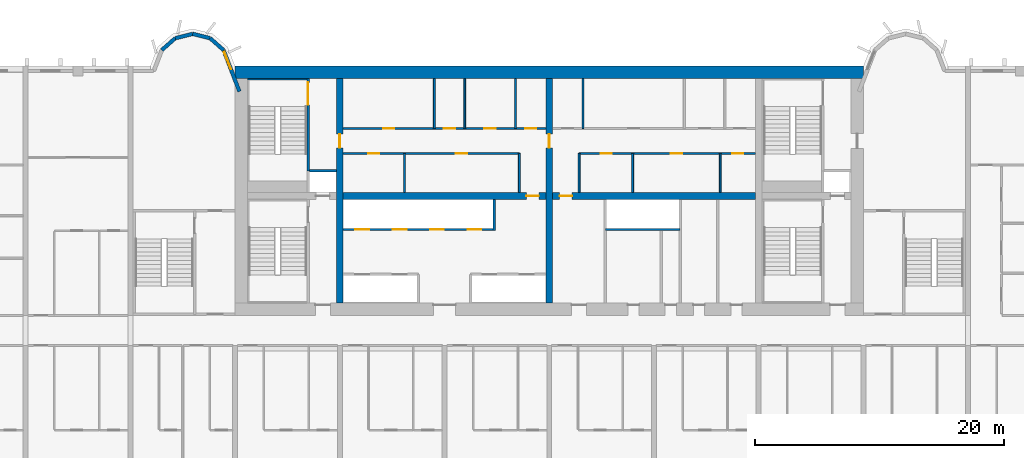
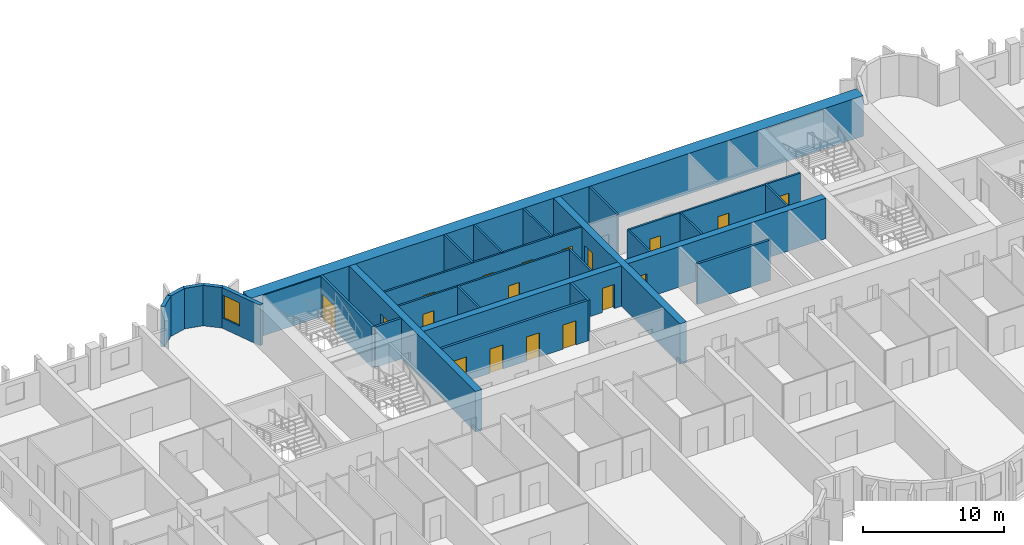
# One storey, part 7 of 15: 28 walls, 18 doors, 1 window, 19 openings.
"""IFC4 building model written with IfcOpenShell, lengths in metres."""

from ifc_helpers import new_model, si_unit, direction, frame, frame_2d, origin, place, context, subcontext, project, spatial, rectangle, extrude, source, transform, mapped, material, layer, layer_set, type_object, element, fill, save


model = new_model("IFC4")

# Units and contexts
model_context = context("Model", 3, precision=1e-05, world=origin(), true_north=direction((0.0, 1.0)))
body_context = subcontext(model_context, "Body", "Model", "MODEL_VIEW")
ifc_project = project(units=[si_unit("LENGTHUNIT", "METRE"), si_unit("AREAUNIT", "SQUARE_METRE"), si_unit("VOLUMEUNIT", "CUBIC_METRE"), si_unit("PLANEANGLEUNIT", "RADIAN"), si_unit("MASSUNIT", "GRAM", prefix="KILO")], contexts=[model_context])

# Site, building, storey
site_placement = place(None, origin())
site = spatial("IfcSite", under=ifc_project, at=site_placement, CompositionType="ELEMENT")
building_placement = place(site_placement, origin())
building = spatial("IfcBuilding", under=site, at=building_placement, Name="Vanashikhar Sky Hotel", CompositionType="ELEMENT")
storey_placement = place(building_placement, frame((0.0, 0.0, 62.0)))
storey = spatial("IfcBuildingStorey", under=building, at=storey_placement, Name="L14", CompositionType="ELEMENT", Elevation=62.0)

# Wall
ifc_material_1 = material(Name="Concrete M80", Category="concrete")
ifc_layer_1 = layer(ifc_material_1, 1.0)
ifc_layer_set_1 = layer_set([ifc_layer_1], Name="RC core shell wall 1000 Concrete M80")
wall_type_1 = type_object("IfcWallType", Name="RC core shell wall 1000 Concrete M80", PredefinedType="SHEAR", material=ifc_layer_set_1)
shared_shape_1 = source(origin(), body_context, "Body", "SweptSolid", [
    extrude(rectangle(XDim=50.400146484375, YDim=1.0, at=frame_2d((25.2001953125, 0.0))), origin(), (0.0, 0.0, 1.0), 3.52001953125),
])
wall_1_placement = place(storey_placement, frame((25.199951171875, 41.5, 0.0), z_axis=(0.0, 0.0, 1.0), x_axis=(1.0, 0.0, 0.0)))
element("IfcWall", 1, at=wall_1_placement, inside=storey, type_object=wall_type_1, Name="KW-L14-KN", PredefinedType="SHEAR", context=body_context, shape_type="MappedRepresentation", body=[
    mapped(shared_shape_1, transform((0.0, 0.0, 0.0), scale=1.0)),
])

# Wall, opening, door
ifc_layer_2 = layer(ifc_material_1, 0.550048828125)
ifc_layer_set_2 = layer_set([ifc_layer_2], Name="RC core inner wall 550 Concrete M80")
wall_type_2 = type_object("IfcWallType", Name="RC core inner wall 550 Concrete M80", PredefinedType="SHEAR", material=ifc_layer_set_2)
shared_shape_2 = source(origin(), body_context, "Body", "SweptSolid", [
    extrude(rectangle(XDim=18.0, YDim=0.550048828125, at=frame_2d((9.0, 0.0))), origin(), (0.0, 0.0, 1.0), 3.52001953125),
])
wall_2_placement = place(storey_placement, frame((33.60009765625, 23.0, 0.0), z_axis=(0.0, 0.0, 1.0), x_axis=(0.0, 1.0, 0.0)))
wall_2 = element("IfcWall", 2, at=wall_2_placement, inside=storey, type_object=wall_type_2, Name="KW-L14-KX1", PredefinedType="SHEAR", context=body_context, shape_type="MappedRepresentation", body=[
    mapped(shared_shape_2, transform((0.0, 0.0, 0.0), scale=1.0)),
])
shared_shape_3 = source(origin(), body_context, "Body", "SweptSolid", [
    extrude(rectangle(XDim=1.10009765625, YDim=2.10009765625, at=frame_2d((0.550048828125, 1.050048828125))), frame((0.0, 0.28515625, 0.0), z_axis=(0.0, -1.0, 0.0), x_axis=(1.0, 0.0, 0.0)), (0.0, 0.0, 1.0), 0.570068359375),
])
opening_1_placement = place(wall_2_placement, frame((12.449951171875, 0.0, 0.0)))
opening_1 = element("IfcOpeningElement", 3, at=opening_1_placement, cuts=wall_2, Name="Opening DC-4-C", PredefinedType="OPENING", context=body_context, shape_type="MappedRepresentation", body=[
    mapped(shared_shape_3, transform((0.0, 0.0, 0.0), scale=1.0)),
])
ifc_material_2 = material(Name="Steel", Category="steel")
door_type_1 = type_object("IfcDoorType", Name="Service door 1100 FD60", OperationType="NOTDEFINED", PredefinedType="DOOR", material=ifc_material_2)
shared_shape_4 = source(origin(), body_context, "Body", "SweptSolid", [
    extrude(rectangle(XDim=1.10009765625, YDim=2.10009765625, at=frame_2d((0.550048828125, 1.050048828125))), frame((0.0, 0.02490234375, 0.0), z_axis=(0.0, -1.0, 0.0), x_axis=(1.0, 0.0, 0.0)), (0.0, 0.0, 1.0), 0.050048828125),
])
door_1_placement = place(opening_1_placement, origin())
door_1 = element("IfcDoor", 4, at=door_1_placement, inside=storey, type_object=door_type_1, Name="Service door 1100 FD60", OperationType="SINGLE_SWING_LEFT", OverallHeight=2.10009765625, OverallWidth=1.10009765625, PredefinedType="DOOR", context=body_context, shape_type="MappedRepresentation", body=[
    mapped(shared_shape_4, transform((0.0, 0.0, 0.0), scale=1.0)),
])
fill(opening_1, door_1)

wall_3_placement = place(storey_placement, frame((50.39990234375, 23.0, 0.0), z_axis=(0.0, 0.0, 1.0), x_axis=(0.0, 1.0, 0.0)))
wall_3 = element("IfcWall", 5, at=wall_3_placement, inside=storey, type_object=wall_type_2, Name="KW-L14-KX2", PredefinedType="SHEAR", context=body_context, shape_type="MappedRepresentation", body=[
    mapped(shared_shape_2, transform((0.0, 0.0, 0.0), scale=1.0)),
])
opening_2_placement = place(wall_3_placement, frame((12.449951171875, 0.0, 0.0)))
opening_2 = element("IfcOpeningElement", 6, at=opening_2_placement, cuts=wall_3, Name="Opening DC-4-C", PredefinedType="OPENING", context=body_context, shape_type="MappedRepresentation", body=[
    mapped(shared_shape_3, transform((0.0, 0.0, 0.0), scale=1.0)),
])
door_2_placement = place(opening_2_placement, origin())
door_2 = element("IfcDoor", 7, at=door_2_placement, inside=storey, type_object=door_type_1, Name="Service door 1100 FD60", OperationType="SINGLE_SWING_RIGHT", OverallHeight=2.10009765625, OverallWidth=1.10009765625, PredefinedType="DOOR", context=body_context, shape_type="MappedRepresentation", body=[
    mapped(shared_shape_4, transform((0.0, 0.0, 0.0), scale=1.0)),
])
fill(opening_2, door_2)

shared_shape_5 = source(origin(), body_context, "Body", "SweptSolid", [
    extrude(rectangle(XDim=16.25, YDim=0.550048828125, at=frame_2d((8.125, 0.0))), origin(), (0.0, 0.0, 1.0), 3.52001953125),
])
wall_4_placement = place(storey_placement, frame((33.875, 31.60009765625, 0.0), z_axis=(0.0, 0.0, 1.0), x_axis=(1.0, 0.0, 0.0)))
wall_4 = element("IfcWall", 8, at=wall_4_placement, inside=storey, type_object=wall_type_2, Name="KW-L14-KY2", PredefinedType="SHEAR", context=body_context, shape_type="MappedRepresentation", body=[
    mapped(shared_shape_5, transform((0.0, 0.0, 0.0), scale=1.0)),
])
shared_shape_6 = source(origin(), body_context, "Body", "SweptSolid", [
    extrude(rectangle(XDim=1.0, YDim=2.10009765625, at=frame_2d((0.5, 1.050048828125))), frame((0.0, 0.28515625, 0.0), z_axis=(0.0, -1.0, 0.0), x_axis=(1.0, 0.0, 0.0)), (0.0, 0.0, 1.0), 0.570068359375),
])
opening_3_placement = place(wall_4_placement, frame((14.68701171875, 0.0, 0.0)))
opening_3 = element("IfcOpeningElement", 9, at=opening_3_placement, cuts=wall_4, Name="Opening DC-4", PredefinedType="OPENING", context=body_context, shape_type="MappedRepresentation", body=[
    mapped(shared_shape_6, transform((0.0, 0.0, 0.0), scale=1.0)),
])
door_type_2 = type_object("IfcDoorType", Name="Service door 1000 FD60", OperationType="NOTDEFINED", PredefinedType="DOOR", material=ifc_material_2)
shared_shape_7 = source(origin(), body_context, "Body", "SweptSolid", [
    extrude(rectangle(XDim=1.0, YDim=2.10009765625, at=frame_2d((0.5, 1.050048828125))), frame((0.0, 0.02490234375, 0.0), z_axis=(0.0, -1.0, 0.0), x_axis=(1.0, 0.0, 0.0)), (0.0, 0.0, 1.0), 0.050048828125),
])
door_3_placement = place(opening_3_placement, origin())
door_3 = element("IfcDoor", 10, at=door_3_placement, inside=storey, type_object=door_type_2, Name="Service door 1000 FD60", OperationType="SINGLE_SWING_LEFT", OverallHeight=2.10009765625, OverallWidth=1.0, PredefinedType="DOOR", context=body_context, shape_type="MappedRepresentation", body=[
    mapped(shared_shape_7, transform((0.0, 0.0, 0.0), scale=1.0)),
])
fill(opening_3, door_3)

wall_5_placement = place(storey_placement, frame((50.675048828125, 31.60009765625, 0.0), z_axis=(0.0, 0.0, 1.0), x_axis=(1.0, 0.0, 0.0)))
wall_5 = element("IfcWall", 11, at=wall_5_placement, inside=storey, type_object=wall_type_2, Name="KW-L14-KY3", PredefinedType="SHEAR", context=body_context, shape_type="MappedRepresentation", body=[
    mapped(shared_shape_5, transform((0.0, 0.0, 0.0), scale=1.0)),
])
opening_4_placement = place(wall_5_placement, frame((0.56201171875, 0.0, 0.0)))
opening_4 = element("IfcOpeningElement", 12, at=opening_4_placement, cuts=wall_5, Name="Opening DC-4", PredefinedType="OPENING", context=body_context, shape_type="MappedRepresentation", body=[
    mapped(shared_shape_6, transform((0.0, 0.0, 0.0), scale=1.0)),
])
door_4_placement = place(opening_4_placement, origin())
door_4 = element("IfcDoor", 13, at=door_4_placement, inside=storey, type_object=door_type_2, Name="Service door 1000 FD60", OperationType="SINGLE_SWING_LEFT", OverallHeight=2.10009765625, OverallWidth=1.0, PredefinedType="DOOR", context=body_context, shape_type="MappedRepresentation", body=[
    mapped(shared_shape_7, transform((0.0, 0.0, 0.0), scale=1.0)),
])
fill(opening_4, door_4)

# Wall, opening, window
ifc_material_3 = material(Name="Concrete M50", Category="concrete")
ifc_layer_3 = layer(ifc_material_3, 0.300048828125)
ifc_layer_set_3 = layer_set([ifc_layer_3], Name="Lobe wall 300")
wall_type_3 = type_object("IfcWallType", Name="Lobe wall 300", PredefinedType="SOLIDWALL", material=ifc_layer_set_3)
shared_shape_8 = source(origin(), body_context, "Body", "SweptSolid", [
    extrude(rectangle(XDim=3.55908203125, YDim=0.300048828125, at=frame_2d((1.779541015625, 0.0))), origin(), (0.0, 0.0, 1.0), 3.52001953125),
])
wall_6_placement = place(storey_placement, frame((25.550048828125, 39.968505859375, 0.0), z_axis=(0.0, 0.0, 1.0), x_axis=(-0.35779745313, 0.933799219604, 0.0)))
wall_6 = element("IfcWall", 14, at=wall_6_placement, inside=storey, type_object=wall_type_3, Name="Lobe wall", PredefinedType="SOLIDWALL", context=body_context, shape_type="MappedRepresentation", body=[
    mapped(shared_shape_8, transform((0.0, 0.0, 0.0), scale=1.0)),
])
shared_shape_9 = source(origin(), body_context, "Body", "SweptSolid", [
    extrude(rectangle(XDim=1.5, YDim=2.0, at=frame_2d((0.75, 1.0))), frame((0.0, 0.16015625, 0.0), z_axis=(0.0, -1.0, 0.0), x_axis=(1.0, 0.0, 0.0)), (0.0, 0.0, 1.0), 0.320068359375),
])
opening_5_placement = place(wall_6_placement, frame((1.9033203125, 0.0, 0.89990234375)))
opening_5 = element("IfcOpeningElement", 15, at=opening_5_placement, cuts=wall_6, Name="Opening WN-2", PredefinedType="OPENING", context=body_context, shape_type="MappedRepresentation", body=[
    mapped(shared_shape_9, transform((0.0, 0.0, 0.0), scale=1.0)),
])
ifc_material_4 = material(Name="Glass", Category="glass")
window_type = type_object("IfcWindowType", Name="Lobe window 1500 x 2000", PartitioningType="SINGLE_PANEL", PredefinedType="WINDOW", material=ifc_material_4)
shared_shape_10 = source(origin(), body_context, "Body", "SweptSolid", [
    extrude(rectangle(XDim=1.5, YDim=2.0, at=frame_2d((0.75, 1.0))), frame((0.0, 0.030029296875, 0.0), z_axis=(0.0, -1.0, 0.0), x_axis=(1.0, 0.0, 0.0)), (0.0, 0.0, 1.0), 0.06005859375),
])
window_placement = place(opening_5_placement, origin())
window = element("IfcWindow", 16, at=window_placement, inside=storey, type_object=window_type, Name="Window WN-2", OverallHeight=2.0, OverallWidth=1.5, PartitioningType="SINGLE_PANEL", PredefinedType="WINDOW", context=body_context, shape_type="MappedRepresentation", body=[
    mapped(shared_shape_10, transform((0.0, 0.0, 0.0), scale=1.0)),
])
fill(opening_5, window)

# Walls
shared_shape_11 = source(origin(), body_context, "Body", "SweptSolid", [
    extrude(rectangle(XDim=1.440185546875, YDim=0.300048828125, at=frame_2d((0.72021484375, 0.0))), origin(), (0.0, 0.0, 1.0), 3.52001953125),
])
wall_7_placement = place(storey_placement, frame((24.276611328125, 43.2919921875, 0.0), z_axis=(0.0, 0.0, 1.0), x_axis=(-0.749649827867, 0.661834673902, 0.0)))
element("IfcWall", 17, at=wall_7_placement, inside=storey, type_object=wall_type_3, Name="Lobe wall", PredefinedType="SOLIDWALL", context=body_context, shape_type="MappedRepresentation", body=[
    mapped(shared_shape_11, transform((0.0, 0.0, 0.0), scale=1.0)),
])
shared_shape_12 = source(origin(), body_context, "Body", "SweptSolid", [
    extrude(rectangle(XDim=1.4384765625, YDim=0.300048828125, at=frame_2d((0.71923828125, 0.0))), origin(), (0.0, 0.0, 1.0), 3.52001953125),
])
wall_8_placement = place(storey_placement, frame((23.197021484375, 44.2451171875, 0.0), z_axis=(0.0, 0.0, 1.0), x_axis=(-0.971152283879, 0.238460146601, 0.0)))
element("IfcWall", 18, at=wall_8_placement, inside=storey, type_object=wall_type_3, Name="Lobe wall", PredefinedType="SOLIDWALL", context=body_context, shape_type="MappedRepresentation", body=[
    mapped(shared_shape_12, transform((0.0, 0.0, 0.0), scale=1.0)),
])
shared_shape_13 = source(origin(), body_context, "Body", "SweptSolid", [
    extrude(rectangle(XDim=1.438720703125, YDim=0.300048828125, at=frame_2d((0.71923828125, 0.0))), origin(), (0.0, 0.0, 1.0), 3.52001953125),
])
wall_9_placement = place(storey_placement, frame((21.800048828125, 44.588134765625, 0.0), z_axis=(0.0, 0.0, 1.0), x_axis=(-0.971161932466, -0.238420848351, 0.0)))
element("IfcWall", 19, at=wall_9_placement, inside=storey, type_object=wall_type_3, Name="Lobe wall", PredefinedType="SOLIDWALL", context=body_context, shape_type="MappedRepresentation", body=[
    mapped(shared_shape_13, transform((0.0, 0.0, 0.0), scale=1.0)),
])
shared_shape_14 = source(origin(), body_context, "Body", "SweptSolid", [
    extrude(rectangle(XDim=1.43994140625, YDim=0.300048828125, at=frame_2d((0.719970703125, 0.0))), origin(), (0.0, 0.0, 1.0), 3.52001953125),
])
wall_10_placement = place(storey_placement, frame((20.40283203125, 44.2451171875, 0.0), z_axis=(0.0, 0.0, 1.0), x_axis=(-0.74957555648, -0.661918790432, 0.0)))
element("IfcWall", 20, at=wall_10_placement, inside=storey, type_object=wall_type_3, Name="Lobe wall", PredefinedType="SOLIDWALL", context=body_context, shape_type="MappedRepresentation", body=[
    mapped(shared_shape_14, transform((0.0, 0.0, 0.0), scale=1.0)),
])
ifc_material_5 = material(Name="Concrete M40", Category="concrete")
ifc_layer_4 = layer(ifc_material_5, 0.199951171875)
ifc_layer_set_4 = layer_set([ifc_layer_4], Name="Shaft wall 200")
wall_type_4 = type_object("IfcWallType", Name="Shaft wall 200", PredefinedType="SOLIDWALL", material=ifc_layer_set_4)
shared_shape_15 = source(origin(), body_context, "Body", "SweptSolid", [
    extrude(rectangle(XDim=6.0, YDim=0.199951171875, at=frame_2d((3.0, 0.0))), origin(), (0.0, 0.0, 1.0), 3.52001953125),
])
wall_11_placement = place(storey_placement, frame((60.89990234375, 28.89990234375, 0.0), z_axis=(0.0, 0.0, 1.0), x_axis=(-1.0, 0.0, 0.0)))
element("IfcWall", 21, at=wall_11_placement, inside=storey, type_object=wall_type_4, Name="Shaft wall 200", PredefinedType="SOLIDWALL", context=body_context, shape_type="MappedRepresentation", body=[
    mapped(shared_shape_15, transform((0.0, 0.0, 0.0), scale=1.0)),
])
ifc_layer_5 = layer(ifc_material_3, 0.10009765625)
ifc_layer_set_5 = layer_set([ifc_layer_5], Name="Stair infill wall 100")
wall_type_5 = type_object("IfcWallType", Name="Stair infill wall 100", PredefinedType="SOLIDWALL", material=ifc_layer_set_5)
shared_shape_16 = source(origin(), body_context, "Body", "SweptSolid", [
    extrude(rectangle(XDim=4.75, YDim=0.10009765625, at=frame_2d((2.375, 0.0))), origin(), (0.0, 0.0, 1.0), 3.52001953125),
])
wall_12_placement = place(storey_placement, frame((26.199951171875, 40.949951171875, 0.0), z_axis=(0.0, 0.0, 1.0), x_axis=(1.0, 0.0, 0.0)))
element("IfcWall", 22, at=wall_12_placement, inside=storey, type_object=wall_type_5, Name="Stair infill wall 100", PredefinedType="SOLIDWALL", context=body_context, shape_type="MappedRepresentation", body=[
    mapped(shared_shape_16, transform((0.0, 0.0, 0.0), scale=1.0)),
])

# Wall, openings, doors
shared_shape_17 = source(origin(), body_context, "Body", "SweptSolid", [
    extrude(rectangle(XDim=12.02490234375, YDim=0.199951171875, at=frame_2d((6.012451171875, 0.0))), origin(), (0.0, 0.0, 1.0), 3.52001953125),
])
wall_13_placement = place(storey_placement, frame((33.875, 28.89990234375, 0.0), z_axis=(0.0, 0.0, 1.0), x_axis=(1.0, 0.0, 0.0)))
wall_13 = element("IfcWall", 23, at=wall_13_placement, inside=storey, type_object=wall_type_4, Name="Shaft wall 200", PredefinedType="SOLIDWALL", context=body_context, shape_type="MappedRepresentation", body=[
    mapped(shared_shape_17, transform((0.0, 0.0, 0.0), scale=1.0)),
])
shared_shape_18 = source(origin(), body_context, "Body", "SweptSolid", [
    extrude(rectangle(XDim=1.10009765625, YDim=2.10009765625, at=frame_2d((0.550048828125, 1.050048828125))), frame((0.0, 0.10986328125, 0.0), z_axis=(0.0, -1.0, 0.0), x_axis=(1.0, 0.0, 0.0)), (0.0, 0.0, 1.0), 0.219970703125),
])
opening_6_placement = place(wall_13_placement, frame((0.97509765625, 0.0, 0.0)))
opening_6 = element("IfcOpeningElement", 24, at=opening_6_placement, cuts=wall_13, Name="Opening LD", PredefinedType="OPENING", context=body_context, shape_type="MappedRepresentation", body=[
    mapped(shared_shape_18, transform((0.0, 0.0, 0.0), scale=1.0)),
])
opening_7_placement = place(wall_13_placement, frame((3.97509765625, 0.0, 0.0)))
opening_7 = element("IfcOpeningElement", 25, at=opening_7_placement, cuts=wall_13, Name="Opening LD", PredefinedType="OPENING", context=body_context, shape_type="MappedRepresentation", body=[
    mapped(shared_shape_18, transform((0.0, 0.0, 0.0), scale=1.0)),
])
opening_8_placement = place(wall_13_placement, frame((6.97509765625, 0.0, 0.0)))
opening_8 = element("IfcOpeningElement", 26, at=opening_8_placement, cuts=wall_13, Name="Opening LD", PredefinedType="OPENING", context=body_context, shape_type="MappedRepresentation", body=[
    mapped(shared_shape_18, transform((0.0, 0.0, 0.0), scale=1.0)),
])
opening_9_placement = place(wall_13_placement, frame((9.97509765625, 0.0, 0.0)))
opening_9 = element("IfcOpeningElement", 27, at=opening_9_placement, cuts=wall_13, Name="Opening LD", PredefinedType="OPENING", context=body_context, shape_type="MappedRepresentation", body=[
    mapped(shared_shape_18, transform((0.0, 0.0, 0.0), scale=1.0)),
])
ifc_material_6 = material(Name="Stainless steel", Category="steel")
door_type_3 = type_object("IfcDoorType", Name="Lift landing door 1100", OperationType="NOTDEFINED", PredefinedType="DOOR", material=ifc_material_6)
door_5_placement = place(opening_6_placement, origin())
door_5 = element("IfcDoor", 28, at=door_5_placement, inside=storey, type_object=door_type_3, Name="Lift landing door 1100", OperationType="SLIDING_TO_LEFT", OverallHeight=2.10009765625, OverallWidth=1.10009765625, PredefinedType="DOOR", context=body_context, shape_type="MappedRepresentation", body=[
    mapped(shared_shape_4, transform((0.0, 0.0, 0.0), scale=1.0)),
])
fill(opening_6, door_5)
door_6_placement = place(opening_7_placement, origin())
door_6 = element("IfcDoor", 29, at=door_6_placement, inside=storey, type_object=door_type_3, Name="Lift landing door 1100", OperationType="SLIDING_TO_RIGHT", OverallHeight=2.10009765625, OverallWidth=1.10009765625, PredefinedType="DOOR", context=body_context, shape_type="MappedRepresentation", body=[
    mapped(shared_shape_4, transform((0.0, 0.0, 0.0), scale=1.0)),
])
fill(opening_7, door_6)
door_7_placement = place(opening_8_placement, origin())
door_7 = element("IfcDoor", 30, at=door_7_placement, inside=storey, type_object=door_type_3, Name="Lift landing door 1100", OperationType="SLIDING_TO_LEFT", OverallHeight=2.10009765625, OverallWidth=1.10009765625, PredefinedType="DOOR", context=body_context, shape_type="MappedRepresentation", body=[
    mapped(shared_shape_4, transform((0.0, 0.0, 0.0), scale=1.0)),
])
fill(opening_8, door_7)
door_8_placement = place(opening_9_placement, origin())
door_8 = element("IfcDoor", 31, at=door_8_placement, inside=storey, type_object=door_type_3, Name="Lift landing door 1100", OperationType="SLIDING_TO_RIGHT", OverallHeight=2.10009765625, OverallWidth=1.10009765625, PredefinedType="DOOR", context=body_context, shape_type="MappedRepresentation", body=[
    mapped(shared_shape_4, transform((0.0, 0.0, 0.0), scale=1.0)),
])
fill(opening_9, door_8)

# Walls
shared_shape_19 = source(origin(), body_context, "Body", "SweptSolid", [
    extrude(rectangle(XDim=2.52490234375, YDim=0.199951171875, at=frame_2d((1.262451171875, 0.0))), origin(), (0.0, 0.0, 1.0), 3.52001953125),
])
wall_14_placement = place(storey_placement, frame((46.0, 28.800048828125, 0.0), z_axis=(0.0, 0.0, 1.0), x_axis=(0.0, 1.0, 0.0)))
element("IfcWall", 32, at=wall_14_placement, inside=storey, type_object=wall_type_4, Name="Shaft wall 200", PredefinedType="SOLIDWALL", context=body_context, shape_type="MappedRepresentation", body=[
    mapped(shared_shape_19, transform((0.0, 0.0, 0.0), scale=1.0)),
])
ifc_material_7 = material(Name="Gypsum board partition")
ifc_layer_6 = layer(ifc_material_7, 0.14990234375)
ifc_layer_set_6 = layer_set([ifc_layer_6], Name="Service partition 150")
wall_type_6 = type_object("IfcWallType", Name="Service partition 150", PredefinedType="PARTITIONING", material=ifc_layer_set_6)
shared_shape_20 = source(origin(), body_context, "Body", "SweptSolid", [
    extrude(rectangle(XDim=3.125, YDim=0.14990234375, at=frame_2d((1.5625, 0.0))), origin(), (0.0, 0.0, 1.0), 3.52001953125),
])
for number, where, z_axis, x_axis, name in (
    (33, (48.0, 31.875, 0.0), (0.0, 0.0, 1.0), (0.0, 1.0, 0.0), "Service partition 150"),
    (34, (38.7919921875, 31.875, 0.0), (0.0, 0.0, 1.0), (0.0, 1.0, 0.0), "Service partition 150"),
    (35, (52.800048828125, 31.875, 0.0), (0.0, 0.0, 1.0), (0.0, 1.0, 0.0), "Service partition 150"),
    (36, (64.114990234375, 31.875, 0.0), (0.0, 0.0, 1.0), (0.0, 1.0, 0.0), "Service partition 150"),
    (37, (57.090087890625, 31.875, 0.0), (0.0, 0.0, 1.0), (0.0, 1.0, 0.0), "Service partition 150"),
):
    element("IfcWall", number, at=place(storey_placement, frame(where, z_axis=z_axis, x_axis=x_axis)), inside=storey, type_object=wall_type_6, Name=name, PredefinedType="PARTITIONING", context=body_context, shape_type="MappedRepresentation", body=[
        mapped(shared_shape_20, transform((0.0, 0.0, 0.0), scale=1.0)),
    ])

# Wall, openings, doors
shared_shape_21 = source(origin(), body_context, "Body", "SweptSolid", [
    extrude(rectangle(XDim=14.125, YDim=0.14990234375, at=frame_2d((7.0625, 0.0))), origin(), (0.0, 0.0, 1.0), 3.52001953125),
])
wall_15_placement = place(storey_placement, frame((33.875, 35.0, 0.0), z_axis=(0.0, 0.0, 1.0), x_axis=(1.0, 0.0, 0.0)))
wall_15 = element("IfcWall", 38, at=wall_15_placement, inside=storey, type_object=wall_type_6, Name="Service partition 150", PredefinedType="PARTITIONING", context=body_context, shape_type="MappedRepresentation", body=[
    mapped(shared_shape_21, transform((0.0, 0.0, 0.0), scale=1.0)),
])
shared_shape_22 = source(origin(), body_context, "Body", "SweptSolid", [
    extrude(rectangle(XDim=0.89990234375, YDim=2.10009765625, at=frame_2d((0.449951171875, 1.050048828125))), frame((0.0, 0.0849609375, 0.0), z_axis=(0.0, -1.0, 0.0), x_axis=(1.0, 0.0, 0.0)), (0.0, 0.0, 1.0), 0.169921875),
])
opening_10_placement = place(wall_15_placement, frame((2.009033203125, 0.0, 0.0)))
opening_10 = element("IfcOpeningElement", 39, at=opening_10_placement, cuts=wall_15, Name="Opening DC-4-A", PredefinedType="OPENING", context=body_context, shape_type="MappedRepresentation", body=[
    mapped(shared_shape_22, transform((0.0, 0.0, 0.0), scale=1.0)),
])
opening_11_placement = place(wall_15_placement, frame((9.033935546875, 0.0, 0.0)))
opening_11 = element("IfcOpeningElement", 40, at=opening_11_placement, cuts=wall_15, Name="Opening DC-4-A", PredefinedType="OPENING", context=body_context, shape_type="MappedRepresentation", body=[
    mapped(shared_shape_22, transform((0.0, 0.0, 0.0), scale=1.0)),
])
door_type_4 = type_object("IfcDoorType", Name="Service door 900 FD60", OperationType="NOTDEFINED", PredefinedType="DOOR", material=ifc_material_2)
shared_shape_23 = source(origin(), body_context, "Body", "SweptSolid", [
    extrude(rectangle(XDim=0.89990234375, YDim=2.10009765625, at=frame_2d((0.449951171875, 1.050048828125))), frame((0.0, 0.02490234375, 0.0), z_axis=(0.0, -1.0, 0.0), x_axis=(1.0, 0.0, 0.0)), (0.0, 0.0, 1.0), 0.050048828125),
])
door_9_placement = place(opening_10_placement, origin())
door_9 = element("IfcDoor", 41, at=door_9_placement, inside=storey, type_object=door_type_4, Name="Service door 900 FD60", OperationType="SINGLE_SWING_RIGHT", OverallHeight=2.10009765625, OverallWidth=0.89990234375, PredefinedType="DOOR", context=body_context, shape_type="MappedRepresentation", body=[
    mapped(shared_shape_23, transform((0.0, 0.0, 0.0), scale=1.0)),
])
fill(opening_10, door_9)
door_10_placement = place(opening_11_placement, origin())
door_10 = element("IfcDoor", 42, at=door_10_placement, inside=storey, type_object=door_type_4, Name="Service door 900 FD60", OperationType="SINGLE_SWING_RIGHT", OverallHeight=2.10009765625, OverallWidth=0.89990234375, PredefinedType="DOOR", context=body_context, shape_type="MappedRepresentation", body=[
    mapped(shared_shape_23, transform((0.0, 0.0, 0.0), scale=1.0)),
])
fill(opening_11, door_10)

wall_16_placement = place(storey_placement, frame((66.925048828125, 35.0, 0.0), z_axis=(0.0, 0.0, 1.0), x_axis=(-1.0, 0.0, 0.0)))
wall_16 = element("IfcWall", 43, at=wall_16_placement, inside=storey, type_object=wall_type_6, Name="Service partition 150", PredefinedType="PARTITIONING", context=body_context, shape_type="MappedRepresentation", body=[
    mapped(shared_shape_21, transform((0.0, 0.0, 0.0), scale=1.0)),
])
opening_12_placement = place(wall_16_placement, frame((0.955078125, 0.0, 0.0)))
opening_12 = element("IfcOpeningElement", 44, at=opening_12_placement, cuts=wall_16, Name="Opening DC-4-A", PredefinedType="OPENING", context=body_context, shape_type="MappedRepresentation", body=[
    mapped(shared_shape_22, transform((0.0, 0.0, 0.0), scale=1.0)),
])
opening_13_placement = place(wall_16_placement, frame((5.873046875, 0.0, 0.0)))
opening_13 = element("IfcOpeningElement", 45, at=opening_13_placement, cuts=wall_16, Name="Opening DC-4-A", PredefinedType="OPENING", context=body_context, shape_type="MappedRepresentation", body=[
    mapped(shared_shape_22, transform((0.0, 0.0, 0.0), scale=1.0)),
])
opening_14_placement = place(wall_16_placement, frame((11.491943359375, 0.0, 0.0)))
opening_14 = element("IfcOpeningElement", 46, at=opening_14_placement, cuts=wall_16, Name="Opening DC-4-A", PredefinedType="OPENING", context=body_context, shape_type="MappedRepresentation", body=[
    mapped(shared_shape_22, transform((0.0, 0.0, 0.0), scale=1.0)),
])
door_11_placement = place(opening_12_placement, origin())
door_11 = element("IfcDoor", 47, at=door_11_placement, inside=storey, type_object=door_type_4, Name="Service door 900 FD60", OperationType="SINGLE_SWING_RIGHT", OverallHeight=2.10009765625, OverallWidth=0.89990234375, PredefinedType="DOOR", context=body_context, shape_type="MappedRepresentation", body=[
    mapped(shared_shape_23, transform((0.0, 0.0, 0.0), scale=1.0)),
])
fill(opening_12, door_11)
door_12_placement = place(opening_13_placement, origin())
door_12 = element("IfcDoor", 48, at=door_12_placement, inside=storey, type_object=door_type_4, Name="Service door 900 FD60", OperationType="SINGLE_SWING_RIGHT", OverallHeight=2.10009765625, OverallWidth=0.89990234375, PredefinedType="DOOR", context=body_context, shape_type="MappedRepresentation", body=[
    mapped(shared_shape_23, transform((0.0, 0.0, 0.0), scale=1.0)),
])
fill(opening_13, door_12)
door_13_placement = place(opening_14_placement, origin())
door_13 = element("IfcDoor", 49, at=door_13_placement, inside=storey, type_object=door_type_4, Name="Service door 900 FD60", OperationType="SINGLE_SWING_LEFT", OverallHeight=2.10009765625, OverallWidth=0.89990234375, PredefinedType="DOOR", context=body_context, shape_type="MappedRepresentation", body=[
    mapped(shared_shape_23, transform((0.0, 0.0, 0.0), scale=1.0)),
])
fill(opening_14, door_13)

shared_shape_24 = source(origin(), body_context, "Body", "SweptSolid", [
    extrude(rectangle(XDim=16.25, YDim=0.14990234375, at=frame_2d((8.125, 0.0))), origin(), (0.0, 0.0, 1.0), 3.52001953125),
])
wall_17_placement = place(storey_placement, frame((33.875, 37.0, 0.0), z_axis=(0.0, 0.0, 1.0), x_axis=(1.0, 0.0, 0.0)))
wall_17 = element("IfcWall", 50, at=wall_17_placement, inside=storey, type_object=wall_type_6, Name="Service partition 150", PredefinedType="PARTITIONING", context=body_context, shape_type="MappedRepresentation", body=[
    mapped(shared_shape_24, transform((0.0, 0.0, 0.0), scale=1.0)),
])
opening_15_placement = place(wall_17_placement, frame((3.2060546875, 0.0, 0.0)))
opening_15 = element("IfcOpeningElement", 51, at=opening_15_placement, cuts=wall_17, Name="Opening DC-4-A", PredefinedType="OPENING", context=body_context, shape_type="MappedRepresentation", body=[
    mapped(shared_shape_22, transform((0.0, 0.0, 0.0), scale=1.0)),
])
opening_16_placement = place(wall_17_placement, frame((8.0810546875, 0.0, 0.0)))
opening_16 = element("IfcOpeningElement", 52, at=opening_16_placement, cuts=wall_17, Name="Opening DC-4-A", PredefinedType="OPENING", context=body_context, shape_type="MappedRepresentation", body=[
    mapped(shared_shape_22, transform((0.0, 0.0, 0.0), scale=1.0)),
])
opening_17_placement = place(wall_17_placement, frame((11.3310546875, 0.0, 0.0)))
opening_17 = element("IfcOpeningElement", 53, at=opening_17_placement, cuts=wall_17, Name="Opening DC-4-A", PredefinedType="OPENING", context=body_context, shape_type="MappedRepresentation", body=[
    mapped(shared_shape_22, transform((0.0, 0.0, 0.0), scale=1.0)),
])
opening_18_placement = place(wall_17_placement, frame((14.5810546875, 0.0, 0.0)))
opening_18 = element("IfcOpeningElement", 54, at=opening_18_placement, cuts=wall_17, Name="Opening DC-4-A", PredefinedType="OPENING", context=body_context, shape_type="MappedRepresentation", body=[
    mapped(shared_shape_22, transform((0.0, 0.0, 0.0), scale=1.0)),
])
door_14_placement = place(opening_15_placement, origin())
door_14 = element("IfcDoor", 55, at=door_14_placement, inside=storey, type_object=door_type_4, Name="Service door 900 FD60", OperationType="SINGLE_SWING_RIGHT", OverallHeight=2.10009765625, OverallWidth=0.89990234375, PredefinedType="DOOR", context=body_context, shape_type="MappedRepresentation", body=[
    mapped(shared_shape_23, transform((0.0, 0.0, 0.0), scale=1.0)),
])
fill(opening_15, door_14)
door_15_placement = place(opening_16_placement, origin())
door_15 = element("IfcDoor", 56, at=door_15_placement, inside=storey, type_object=door_type_4, Name="Service door 900 FD60", OperationType="SINGLE_SWING_RIGHT", OverallHeight=2.10009765625, OverallWidth=0.89990234375, PredefinedType="DOOR", context=body_context, shape_type="MappedRepresentation", body=[
    mapped(shared_shape_23, transform((0.0, 0.0, 0.0), scale=1.0)),
])
fill(opening_16, door_15)
door_16_placement = place(opening_17_placement, origin())
door_16 = element("IfcDoor", 57, at=door_16_placement, inside=storey, type_object=door_type_4, Name="Service door 900 FD60", OperationType="SINGLE_SWING_RIGHT", OverallHeight=2.10009765625, OverallWidth=0.89990234375, PredefinedType="DOOR", context=body_context, shape_type="MappedRepresentation", body=[
    mapped(shared_shape_23, transform((0.0, 0.0, 0.0), scale=1.0)),
])
fill(opening_17, door_16)
door_17_placement = place(opening_18_placement, origin())
door_17 = element("IfcDoor", 58, at=door_17_placement, inside=storey, type_object=door_type_4, Name="Service door 900 FD60", OperationType="SINGLE_SWING_LEFT", OverallHeight=2.10009765625, OverallWidth=0.89990234375, PredefinedType="DOOR", context=body_context, shape_type="MappedRepresentation", body=[
    mapped(shared_shape_23, transform((0.0, 0.0, 0.0), scale=1.0)),
])
fill(opening_18, door_17)

# Walls
shared_shape_25 = source(origin(), body_context, "Body", "SweptSolid", [
    extrude(rectangle(XDim=4.0, YDim=0.14990234375, at=frame_2d((2.0, 0.0))), origin(), (0.0, 0.0, 1.0), 3.52001953125),
])
for number, where, z_axis, x_axis, name in (
    (59, (41.18798828125, 37.0, 0.0), (0.0, 0.0, 1.0), (0.0, 1.0, 0.0), "Service partition 150"),
    (60, (43.625, 37.0, 0.0), (0.0, 0.0, 1.0), (0.0, 1.0, 0.0), "Service partition 150"),
    (61, (47.68798828125, 37.0, 0.0), (0.0, 0.0, 1.0), (0.0, 1.0, 0.0), "Service partition 150"),
    (62, (53.112060546875, 37.0, 0.0), (0.0, 0.0, 1.0), (0.0, 1.0, 0.0), "Service partition 150"),
):
    element("IfcWall", number, at=place(storey_placement, frame(where, z_axis=z_axis, x_axis=x_axis)), inside=storey, type_object=wall_type_6, Name=name, PredefinedType="PARTITIONING", context=body_context, shape_type="MappedRepresentation", body=[
        mapped(shared_shape_25, transform((0.0, 0.0, 0.0), scale=1.0)),
    ])
shared_shape_26 = source(origin(), body_context, "Body", "SweptSolid", [
    extrude(rectangle(XDim=2.175048828125, YDim=0.199951171875, at=frame_2d((1.08740234375, 0.0))), origin(), (0.0, 0.0, 1.0), 3.52001953125),
])
wall_18_placement = place(storey_placement, frame((31.14990234375, 33.60009765625, 0.0), z_axis=(0.0, 0.0, 1.0), x_axis=(1.0, 0.0, 0.0)))
element("IfcWall", 63, at=wall_18_placement, inside=storey, type_object=wall_type_4, Name="Shaft wall 200", PredefinedType="SOLIDWALL", context=body_context, shape_type="MappedRepresentation", body=[
    mapped(shared_shape_26, transform((0.0, 0.0, 0.0), scale=1.0)),
])

# Wall, opening, door
ifc_layer_7 = layer(ifc_material_3, 0.199951171875)
ifc_layer_set_7 = layer_set([ifc_layer_7], Name="Stair wall 200")
wall_type_7 = type_object("IfcWallType", Name="Stair wall 200", PredefinedType="SOLIDWALL", material=ifc_layer_set_7)
shared_shape_27 = source(origin(), body_context, "Body", "SweptSolid", [
    extrude(rectangle(XDim=7.39990234375, YDim=0.199951171875, at=frame_2d((3.699951171875, 0.0))), origin(), (0.0, 0.0, 1.0), 3.52001953125),
])
wall_19_placement = place(storey_placement, frame((31.050048828125, 33.60009765625, 0.0), z_axis=(0.0, 0.0, 1.0), x_axis=(0.0, 1.0, 0.0)))
wall_19 = element("IfcWall", 64, at=wall_19_placement, inside=storey, type_object=wall_type_7, Name="Stair wall 200", PredefinedType="SOLIDWALL", context=body_context, shape_type="MappedRepresentation", body=[
    mapped(shared_shape_27, transform((0.0, 0.0, 0.0), scale=1.0)),
])
shared_shape_28 = source(origin(), body_context, "Body", "SweptSolid", [
    extrude(rectangle(XDim=1.800048828125, YDim=2.10009765625, at=frame_2d((0.89990234375, 1.050048828125))), frame((0.0, 0.10986328125, 0.0), z_axis=(0.0, -1.0, 0.0), x_axis=(1.0, 0.0, 0.0)), (0.0, 0.0, 1.0), 0.219970703125),
])
opening_19_placement = place(wall_19_placement, frame((5.300048828125, 0.0, 0.0)))
opening_19 = element("IfcOpeningElement", 65, at=opening_19_placement, cuts=wall_19, Name="Opening DC-1-A", PredefinedType="OPENING", context=body_context, shape_type="MappedRepresentation", body=[
    mapped(shared_shape_28, transform((0.0, 0.0, 0.0), scale=1.0)),
])
door_type_5 = type_object("IfcDoorType", Name="Stair door 1800 FD120", OperationType="NOTDEFINED", PredefinedType="DOOR", material=ifc_material_2)
shared_shape_29 = source(origin(), body_context, "Body", "SweptSolid", [
    extrude(rectangle(XDim=1.800048828125, YDim=2.10009765625, at=frame_2d((0.89990234375, 1.050048828125))), frame((0.0, 0.02490234375, 0.0), z_axis=(0.0, -1.0, 0.0), x_axis=(1.0, 0.0, 0.0)), (0.0, 0.0, 1.0), 0.050048828125),
])
door_18_placement = place(opening_19_placement, origin())
door_18 = element("IfcDoor", 66, at=door_18_placement, inside=storey, type_object=door_type_5, Name="Stair door 1800 FD120", OperationType="SINGLE_SWING_LEFT", OverallHeight=2.10009765625, OverallWidth=1.800048828125, PredefinedType="DOOR", context=body_context, shape_type="MappedRepresentation", body=[
    mapped(shared_shape_29, transform((0.0, 0.0, 0.0), scale=1.0)),
])
fill(opening_19, door_18)

save(model, "model.ifc")
